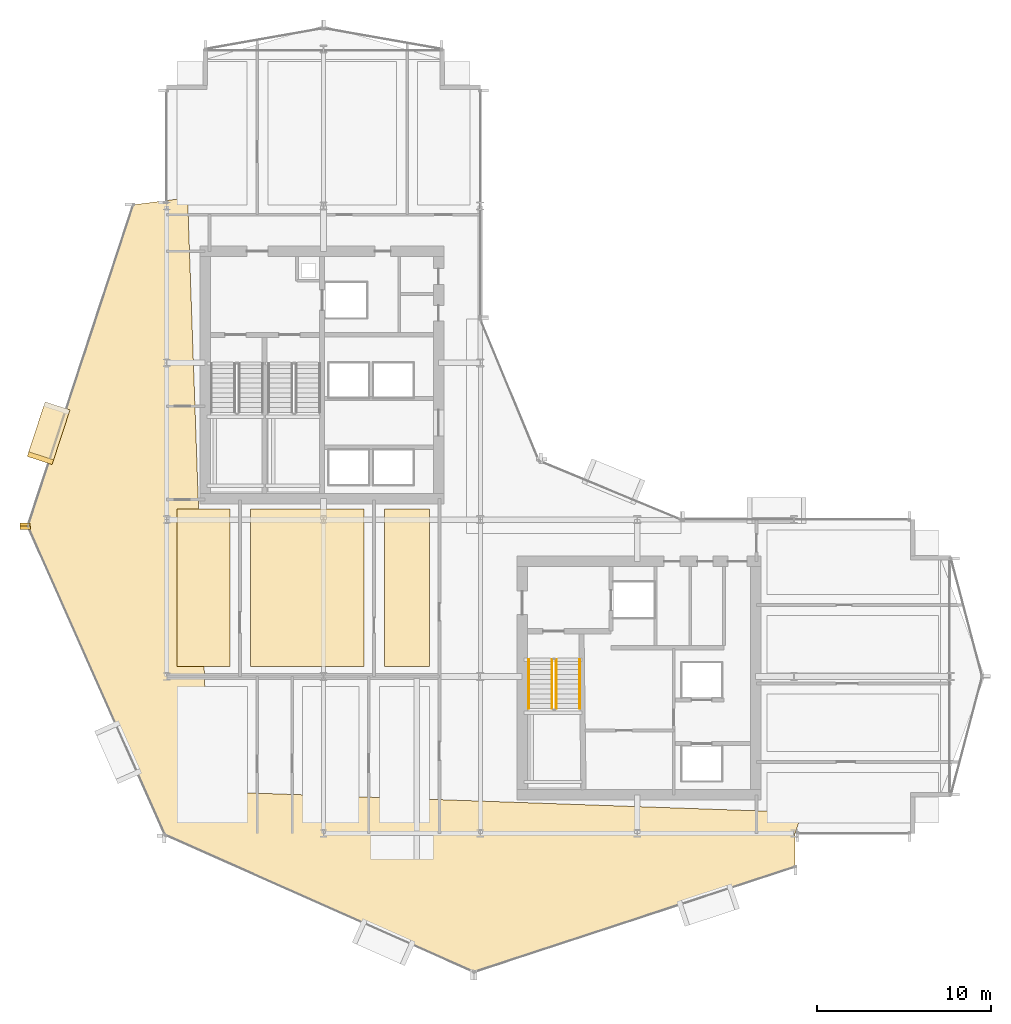
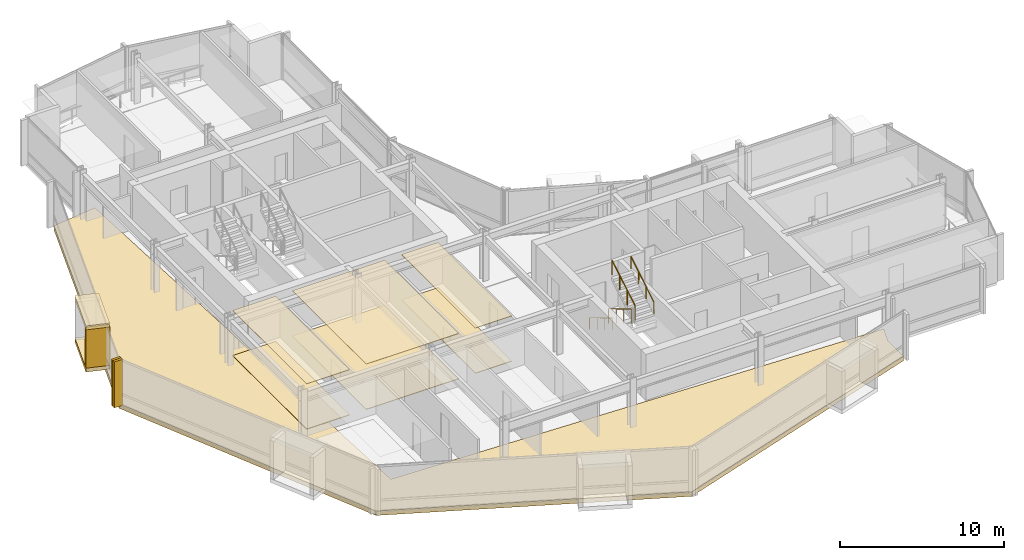
# One storey, part 26 of 29: 12 coverings, 4 railings.
"""IFC4 building model written with IfcOpenShell, lengths in metres."""

from ifc_helpers import new_model, si_unit, direction, frame, origin, origin_2d, place, context, subcontext, project, spatial, polyline, rectangle, circle, outline, extrude, material, layer, layer_set, type_object, element, save


model = new_model("IFC4")

# Units and contexts
model_context = context("Model", 3, precision=1e-05, world=origin(), true_north=direction((0.0, 1.0)))
body_context = subcontext(model_context, "Body", "Model", "MODEL_VIEW")
ifc_project = project(units=[si_unit("LENGTHUNIT", "METRE"), si_unit("AREAUNIT", "SQUARE_METRE"), si_unit("VOLUMEUNIT", "CUBIC_METRE"), si_unit("PLANEANGLEUNIT", "RADIAN"), si_unit("MASSUNIT", "GRAM", prefix="KILO")], contexts=[model_context])

# Site, building, storey
site_placement = place(None, origin())
site = spatial("IfcSite", under=ifc_project, at=site_placement, CompositionType="ELEMENT")
building_placement = place(site_placement, origin())
building = spatial("IfcBuilding", under=site, at=building_placement, Name="Solvaryn Broadcast Tower", CompositionType="ELEMENT")
storey_placement = place(building_placement, frame((0.0, 0.0, 124.800048828125)))
storey = spatial("IfcBuildingStorey", under=building, at=storey_placement, Name="L30", CompositionType="ELEMENT", Elevation=124.800048828125)

# Coverings
ifc_material_1 = material(Name="Micro-Perforated Acoustic Gypsum Ceiling", Category="concrete")
ifc_layer_1 = layer(ifc_material_1, 0.0400390625)
ifc_layer_set_1 = layer_set([ifc_layer_1], Name="CV-CEIL-ACOUSTIC")
covering_type_1 = type_object("IfcCoveringType", Name="CV-CEIL-ACOUSTIC", PredefinedType="CEILING", material=ifc_layer_set_1)
covering_1_placement = place(storey_placement, frame((0.0, 0.0, 3.3798828125)))
element("IfcCovering", 1, at=covering_1_placement, inside=storey, type_object=covering_type_1, Name="L30 Room Acoustic Ceiling 1", PredefinedType="CEILING", context=body_context, shape_type="SweptSolid", body=[
    extrude(outline(polyline([(9.60009765625, 18.570068359375), (12.6298828125, 18.570068359375), (12.6298828125, 27.60009765625), (9.60009765625, 27.60009765625), (9.60009765625, 18.570068359375)])), origin(), (0.0, 0.0, 1.0), 0.0400390625),
])
covering_2_placement = place(storey_placement, frame((0.0, 0.0, 3.3798828125)))
element("IfcCovering", 2, at=covering_2_placement, inside=storey, type_object=covering_type_1, Name="L30 Room Acoustic Ceiling 2", PredefinedType="CEILING", context=body_context, shape_type="SweptSolid", body=[
    extrude(outline(polyline([(13.800048828125, 18.570068359375), (20.330078125, 18.570068359375), (20.330078125, 27.60009765625), (13.800048828125, 27.60009765625), (13.800048828125, 18.570068359375)])), origin(), (0.0, 0.0, 1.0), 0.0400390625),
])
covering_3_placement = place(storey_placement, frame((0.0, 0.0, 3.3798828125)))
element("IfcCovering", 3, at=covering_3_placement, inside=storey, type_object=covering_type_1, Name="L30 Room Acoustic Ceiling 3", PredefinedType="CEILING", context=body_context, shape_type="SweptSolid", body=[
    extrude(outline(polyline([(21.5, 18.570068359375), (24.080078125, 18.570068359375), (24.080078125, 27.60009765625), (21.5, 27.60009765625), (21.5, 18.570068359375)])), origin(), (0.0, 0.0, 1.0), 0.0400390625),
])
ifc_material_2 = material(Name="Newsroom Raised Data Access Flooring", Category="steel")
ifc_layer_2 = layer(ifc_material_2, 0.050048828125)
ifc_layer_set_2 = layer_set([ifc_layer_2], Name="CV-FLOOR-RAISED")
covering_type_2 = type_object("IfcCoveringType", Name="CV-FLOOR-RAISED", PredefinedType="FLOORING", material=ifc_layer_set_2)
covering_4_placement = place(storey_placement, origin())
element("IfcCovering", 4, at=covering_4_placement, inside=storey, type_object=covering_type_2, Name="L30 Room Acoustic Floor Finish 1", PredefinedType="FLOORING", context=body_context, shape_type="SweptSolid", body=[
    extrude(outline(polyline([(9.60009765625, 18.570068359375), (12.6298828125, 18.570068359375), (12.6298828125, 27.60009765625), (9.60009765625, 27.60009765625), (9.60009765625, 18.570068359375)])), origin(), (0.0, 0.0, 1.0), 0.050048828125),
])
covering_5_placement = place(storey_placement, origin())
element("IfcCovering", 5, at=covering_5_placement, inside=storey, type_object=covering_type_2, Name="L30 Room Acoustic Floor Finish 2", PredefinedType="FLOORING", context=body_context, shape_type="SweptSolid", body=[
    extrude(outline(polyline([(13.800048828125, 18.570068359375), (20.330078125, 18.570068359375), (20.330078125, 27.60009765625), (13.800048828125, 27.60009765625), (13.800048828125, 18.570068359375)])), origin(), (0.0, 0.0, 1.0), 0.050048828125),
])
covering_6_placement = place(storey_placement, origin())
element("IfcCovering", 6, at=covering_6_placement, inside=storey, type_object=covering_type_2, Name="L30 Room Acoustic Floor Finish 3", PredefinedType="FLOORING", context=body_context, shape_type="SweptSolid", body=[
    extrude(outline(polyline([(21.5, 18.570068359375), (24.080078125, 18.570068359375), (24.080078125, 27.60009765625), (21.5, 27.60009765625), (21.5, 18.570068359375)])), origin(), (0.0, 0.0, 1.0), 0.050048828125),
])
ifc_material_3 = material(Name="Glazed Architectural Terracotta Rainscreen Cladding", Category="masonry")
ifc_layer_3 = layer(ifc_material_3, 0.280029296875)
ifc_layer_set_3 = layer_set([ifc_layer_3], Name="CV-TC-CLAD")
covering_type_3 = type_object("IfcCoveringType", Name="CV-TC-CLAD", PredefinedType="CLADDING", material=ifc_layer_set_3)
for number, where, z_axis, x_axis, name in (
    (7, (2.222900390625, 31.9619140625, 3.1298828125), (0.0, 0.0, 1.0), (-0.311671636848, -0.950189870912, 0.0), "L30 Projecting Stone Window Box Hood 1"),
    (8, (2.222900390625, 31.9619140625, -0.01025390625), (0.0, 0.0, 1.0), (-0.311671636848, -0.950189870912, 0.0), "L30 Projecting Stone Window Box Sill 1"),
):
    element("IfcCovering", number, at=place(storey_placement, frame(where, z_axis=z_axis, x_axis=x_axis)), inside=storey, type_object=covering_type_3, Name=name, PredefinedType="CLADDING", context=body_context, shape_type="SweptSolid", body=[
        extrude(rectangle(XDim=3.300048828125, YDim=1.5, at=origin_2d()), origin(), (0.0, 0.0, 1.0), 0.300048828125),
    ])
covering_7_placement = place(storey_placement, frame((1.75244140625, 30.527099609375, 0.27978515625), z_axis=(0.0, 0.0, 1.0), x_axis=(-0.311671636848, -0.950189870912, 0.0)))
element("IfcCovering", 9, at=covering_7_placement, inside=storey, type_object=covering_type_3, Name="L30 Projecting Stone Window Box Cheek 1-2", PredefinedType="CLADDING", context=body_context, shape_type="SweptSolid", body=[
    extrude(rectangle(XDim=0.280029296875, YDim=1.5, at=origin_2d()), origin(), (0.0, 0.0, 1.0), 2.860107421875),
])
ifc_material_4 = material(Name="Extruded Architectural Terracotta Fin", Category="masonry")
ifc_layer_4 = layer(ifc_material_4, 0.179931640625)
ifc_layer_set_4 = layer_set([ifc_layer_4], Name="CV-TC-FIN")
covering_type_4 = type_object("IfcCoveringType", Name="CV-TC-FIN", PredefinedType="USERDEFINED", material=ifc_layer_set_4)
for number, where, z_axis, x_axis, name in (
    (10, (0.872314453125, 26.720703125, 0.0), (0.0, 0.0, 1.0), (1.0, 0.0, 0.0), "L30 Terracotta Vertical Fin FIN-L30-DR1-M01"),
    (11, (0.8818359375, 26.535888671875, 0.0), (0.0, 0.0, 1.0), (1.0, 0.0, 0.0), "L30 Terracotta Vertical Fin FIN-L30-DR2-M00"),
):
    element("IfcCovering", number, at=place(storey_placement, frame(where, z_axis=z_axis, x_axis=x_axis)), inside=storey, type_object=covering_type_4, Name=name, ObjectType="FIN", PredefinedType="USERDEFINED", context=body_context, shape_type="SweptSolid", body=[
        extrude(rectangle(XDim=0.580078125, YDim=0.179931640625, at=origin_2d()), origin(), (0.0, 0.0, 1.0), 3.419921875),
    ])
ifc_material_5 = material(Name="Sculpted Architectural Terracotta Wave Fascia", Category="masonry")
ifc_layer_5 = layer(ifc_material_5, 0.340087890625)
ifc_layer_set_5 = layer_set([ifc_layer_5], Name="CV-WAVE-TRAY")
covering_type_5 = type_object("IfcCoveringType", Name="CV-WAVE-TRAY", PredefinedType="CLADDING", material=ifc_layer_set_5)
covering_8_placement = place(storey_placement, frame((0.0, 0.0, -0.300048828125)))
element("IfcCovering", 12, at=covering_8_placement, inside=storey, type_object=covering_type_5, Name="L30 Stepped Cylindrical Drum Floor Apron", PredefinedType="CLADDING", context=body_context, shape_type="SweptSolid", body=[
    extrude(outline(polyline([(10.199951171875, 45.467041015625), (7.0791015625, 45.06689453125), (1.033935546875, 26.635986328125), (8.907958984375, 8.907958984375), (26.635986328125, 1.033935546875), (45.06689453125, 7.0791015625), (45.06689453125, 9.0), (45.467041015625, 10.199951171875), (11.39990234375, 11.39990234375), (10.199951171875, 45.467041015625)])), origin(), (0.0, 0.0, 1.0), 0.330078125),
])

# Railings
ifc_material_6 = material(Name="Painted Steel Stair Well Guard", Category="steel")
railing_type_1 = type_object("IfcRailingType", Name="RL-STAIR-GUARD", PredefinedType="BALUSTRADE", material=ifc_material_6)
railing_1_placement = place(storey_placement, frame((31.110107421875, 18.9599609375, 0.168212890625)))
element("IfcRailing", 13, at=railing_1_placement, inside=storey, type_object=railing_type_1, Name="L30 ST3 stair guard 1", PredefinedType="BALUSTRADE", context=body_context, shape_type="SweptSolid", body=[
    extrude(circle(Radius=0.02392578125, at=origin_2d()), frame((0.0, 0.0, 1.076171875), z_axis=(0.0, -0.857275202839, 0.514858452973), x_axis=(1.0, 0.0, 0.0)), (0.0, 0.0, 1.0), 3.26611328125),
    extrude(circle(Radius=0.02099609375, at=origin_2d()), origin(), (0.0, 0.0, 1.0), 1.052001953125),
    extrude(circle(Radius=0.02099609375, at=origin_2d()), frame((0.0, -0.933349609375, 0.560546875)), (0.0, 0.0, 1.0), 1.052001953125),
    extrude(circle(Radius=0.02099609375, at=origin_2d()), frame((0.0, -1.86669921875, 1.12109375)), (0.0, 0.0, 1.0), 1.052001953125),
    extrude(circle(Radius=0.02099609375, at=origin_2d()), frame((0.0, -2.800048828125, 1.681640625)), (0.0, 0.0, 1.0), 1.052001953125),
])
railing_2_placement = place(storey_placement, frame((31.360107421875, 16.159912109375, 2.01806640625)))
element("IfcRailing", 14, at=railing_2_placement, inside=storey, type_object=railing_type_1, Name="L30 ST3 stair guard 3", PredefinedType="BALUSTRADE", context=body_context, shape_type="SweptSolid", body=[
    extrude(circle(Radius=0.02392578125, at=origin_2d()), frame((0.0, 0.0, 1.076171875), z_axis=(0.0, 0.857242210791, 0.514913383045), x_axis=(-1.0, 0.0, 0.0)), (0.0, 0.0, 1.0), 3.266357421875),
    extrude(circle(Radius=0.02099609375, at=origin_2d()), origin(), (0.0, 0.0, 1.0), 1.052001953125),
    extrude(circle(Radius=0.02099609375, at=origin_2d()), frame((0.0, 0.933349609375, 0.560546875)), (0.0, 0.0, 1.0), 1.052001953125),
    extrude(circle(Radius=0.02099609375, at=origin_2d()), frame((0.0, 1.86669921875, 1.121337890625)), (0.0, 0.0, 1.0), 1.052001953125),
    extrude(circle(Radius=0.02099609375, at=origin_2d()), frame((0.0, 2.800048828125, 1.681884765625)), (0.0, 0.0, 1.0), 1.052001953125),
])
ifc_material_7 = material(Name="Brushed Stainless Steel Tubular Handrail", Category="steel")
railing_type_2 = type_object("IfcRailingType", Name="RL-STAIR-HANDRAIL", PredefinedType="HANDRAIL", material=ifc_material_7)
railing_3_placement = place(storey_placement, frame((29.77001953125, 18.9599609375, 0.168212890625)))
element("IfcRailing", 15, at=railing_3_placement, inside=storey, type_object=railing_type_2, Name="L30 ST3 stair handrail 1", PredefinedType="HANDRAIL", context=body_context, shape_type="SweptSolid", body=[
    extrude(circle(Radius=0.02392578125, at=origin_2d()), frame((0.0, 0.0, 0.8759765625), z_axis=(0.0, -0.857275202839, 0.514858452973), x_axis=(1.0, 0.0, 0.0)), (0.0, 0.0, 1.0), 3.26611328125),
    extrude(circle(Radius=0.02099609375, at=origin_2d()), origin(), (0.0, 0.0, 1.0), 0.851806640625),
    extrude(circle(Radius=0.02099609375, at=origin_2d()), frame((0.0, -0.933349609375, 0.560546875)), (0.0, 0.0, 1.0), 0.851806640625),
    extrude(circle(Radius=0.02099609375, at=origin_2d()), frame((0.0, -1.86669921875, 1.12109375)), (0.0, 0.0, 1.0), 0.851806640625),
    extrude(circle(Radius=0.02099609375, at=origin_2d()), frame((0.0, -2.800048828125, 1.681640625)), (0.0, 0.0, 1.0), 0.851806640625),
])
railing_4_placement = place(storey_placement, frame((32.699951171875, 16.159912109375, 2.01806640625)))
element("IfcRailing", 16, at=railing_4_placement, inside=storey, type_object=railing_type_2, Name="L30 ST3 stair handrail 2", PredefinedType="HANDRAIL", context=body_context, shape_type="SweptSolid", body=[
    extrude(circle(Radius=0.02392578125, at=origin_2d()), frame((0.0, 0.0, 0.8759765625), z_axis=(0.0, 0.857242210791, 0.514913383045), x_axis=(-1.0, 0.0, 0.0)), (0.0, 0.0, 1.0), 3.266357421875),
    extrude(circle(Radius=0.02099609375, at=origin_2d()), origin(), (0.0, 0.0, 1.0), 0.851806640625),
    extrude(circle(Radius=0.02099609375, at=origin_2d()), frame((0.0, 0.933349609375, 0.560546875)), (0.0, 0.0, 1.0), 0.851806640625),
    extrude(circle(Radius=0.02099609375, at=origin_2d()), frame((0.0, 1.86669921875, 1.121337890625)), (0.0, 0.0, 1.0), 0.851806640625),
    extrude(circle(Radius=0.02099609375, at=origin_2d()), frame((0.0, 2.800048828125, 1.681884765625)), (0.0, 0.0, 1.0), 0.851806640625),
])

save(model, "model.ifc")
